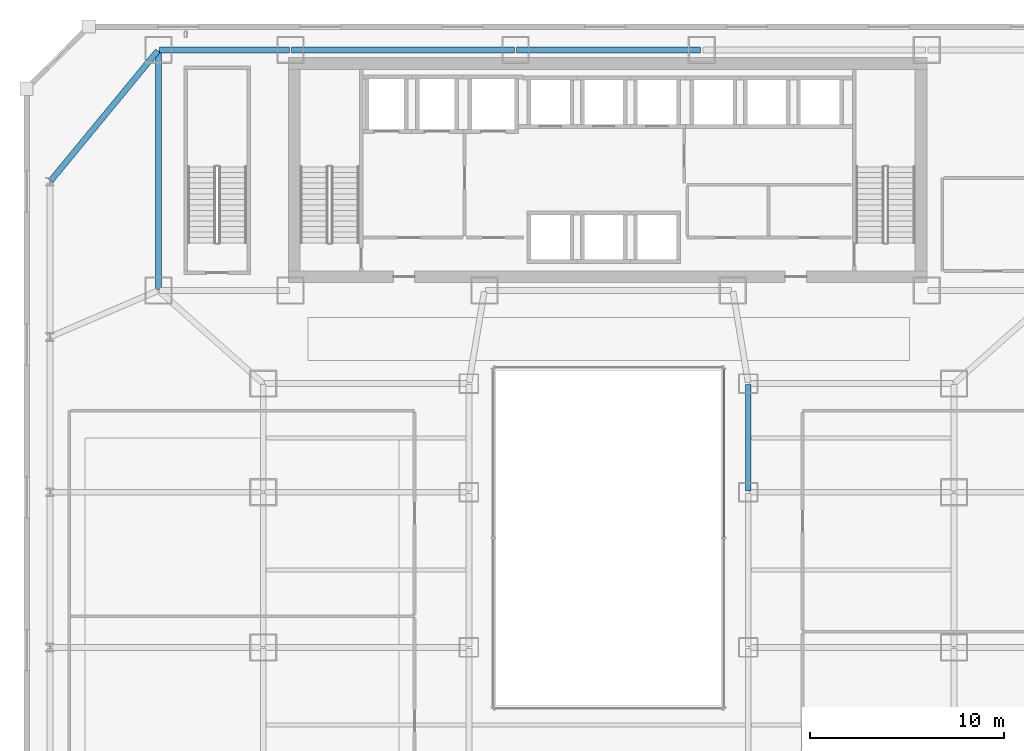
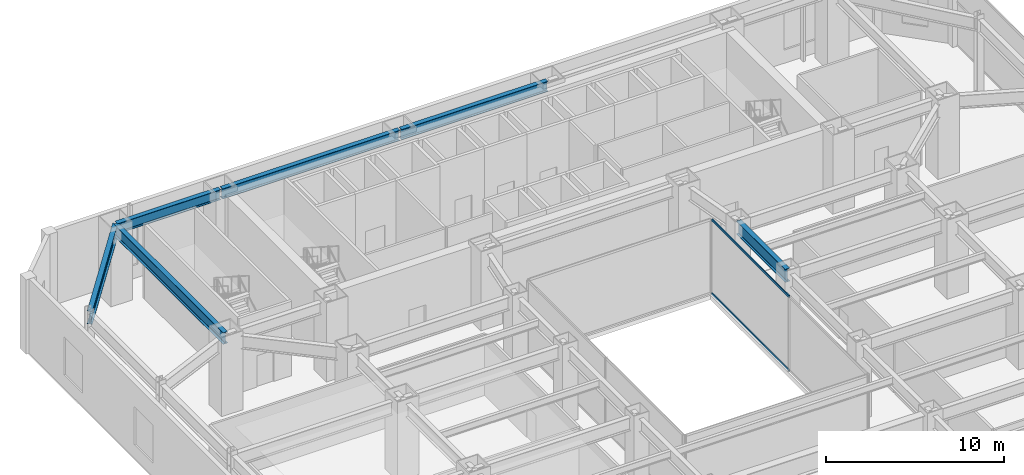
# One storey, part 25 of 52: 6 beams, 2 members, 1 element without a shape of its own.
"""IFC4 building model written with IfcOpenShell, lengths in metres."""

from ifc_helpers import new_model, si_unit, direction, frame, origin, origin_2d, place, context, subcontext, project, spatial, hollow_rectangle, i_section, extrude, material, material_profile, profile_set, type_object, element, aggregate, save


model = new_model("IFC4")

# Units and contexts
model_context = context("Model", 3, precision=1e-05, world=origin(), true_north=direction((0.0, 1.0)))
body_context = subcontext(model_context, "Body", "Model", "MODEL_VIEW")
ifc_project = project(units=[si_unit("LENGTHUNIT", "METRE"), si_unit("AREAUNIT", "SQUARE_METRE"), si_unit("VOLUMEUNIT", "CUBIC_METRE"), si_unit("PLANEANGLEUNIT", "RADIAN"), si_unit("MASSUNIT", "GRAM", prefix="KILO")], contexts=[model_context])

# Site, building, storey
site_placement = place(None, origin())
site = spatial("IfcSite", under=ifc_project, at=site_placement, CompositionType="ELEMENT")
building_placement = place(site_placement, origin())
building = spatial("IfcBuilding", under=site, at=building_placement, Name="Saevonmaru Cultural Tower", CompositionType="ELEMENT")
storey_placement = place(building_placement, frame((0.0, 0.0, 16.800048828125)))
storey = spatial("IfcBuildingStorey", under=building, at=storey_placement, Name="L03", CompositionType="ELEMENT", Elevation=16.800048828125)

# Beams
ifc_material_1 = material(Name="Steel SM420", Category="steel")
ifc_material_profile_1 = material_profile(ifc_material_1, i_section(OverallWidth=0.300048828125, OverallDepth=0.800048828125, WebThickness=0.013916015625, FlangeThickness=0.02587890625, FilletRadius=0.028076171875, at=origin_2d()), Name="H-800x300x14x26")
ifc_profile_set_1 = profile_set([ifc_material_profile_1], Name="Steel SM420")
beam_type_1 = type_object("IfcBeamType", Name="BM-G-H800", PredefinedType="BEAM", material=ifc_profile_set_1)
beam_1_placement = place(storey_placement, frame((6.800048828125, 54.739990234375, 4.699951171875), z_axis=(0.0, -1.0, 0.0), x_axis=(1.0, 0.0, 0.0)))
element("IfcBeam", 1, at=beam_1_placement, inside=storey, type_object=beam_type_1, Name="L03 Spine Transverse Girder W", PredefinedType="BEAM", context=body_context, shape_type="SweptSolid", body=[
    extrude(i_section(OverallWidth=0.300048828125, OverallDepth=0.800048828125, WebThickness=0.013916015625, FlangeThickness=0.02587890625, FilletRadius=0.028076171875, at=origin_2d()), origin(), (0.0, 0.0, 1.0), 12.280029296875),
])
ifc_material_profile_2 = material_profile(ifc_material_1, i_section(OverallWidth=0.300048828125, OverallDepth=0.89990234375, WebThickness=0.01611328125, FlangeThickness=0.028076171875, FilletRadius=0.028076171875, at=origin_2d()), Name="H-900x300x16x28")
ifc_profile_set_2 = profile_set([ifc_material_profile_2], Name="Steel SM420")
beam_type_2 = type_object("IfcBeamType", Name="BM-G-H900", PredefinedType="BEAM", material=ifc_profile_set_2)
beam_2_placement = place(storey_placement, frame((37.199951171875, 32.06005859375, 4.64990234375), z_axis=(0.0, 1.0, 0.0), x_axis=(-1.0, 0.0, 0.0)))
element("IfcBeam", 2, at=beam_2_placement, inside=storey, type_object=beam_type_2, Name="L03 Podium Girder NS3-5", PredefinedType="BEAM", context=body_context, shape_type="SweptSolid", body=[
    extrude(i_section(OverallWidth=0.300048828125, OverallDepth=0.89990234375, WebThickness=0.01611328125, FlangeThickness=0.028076171875, FilletRadius=0.028076171875, at=origin_2d()), origin(), (0.0, 0.0, 1.0), 5.47998046875),
])
beam_3_placement = place(storey_placement, frame((1.238037109375, 48.04638671875, 4.64990234375), z_axis=(0.635726949651, 0.771914014309, 0.0), x_axis=(-0.771914014309, 0.635726949651, 0.0)))
element("IfcBeam", 3, at=beam_3_placement, inside=storey, type_object=beam_type_2, Name="BM-POD-TW2-L03", PredefinedType="BEAM", context=body_context, shape_type="SweptSolid", body=[
    extrude(i_section(OverallWidth=0.300048828125, OverallDepth=0.89990234375, WebThickness=0.01611328125, FlangeThickness=0.028076171875, FilletRadius=0.028076171875, at=origin_2d()), origin(), (0.0, 0.0, 1.0), 8.689208984375),
])
ifc_material_2 = material(Name="Steel SM355", Category="steel")
ifc_material_profile_3 = material_profile(ifc_material_2, i_section(OverallWidth=0.300048828125, OverallDepth=0.699951171875, WebThickness=0.012939453125, FlangeThickness=0.02392578125, FilletRadius=0.02587890625, at=origin_2d()), Name="H-700x300x13x24")
ifc_profile_set_3 = profile_set([ifc_material_profile_3], Name="Steel SM355")
beam_type_3 = type_object("IfcBeamType", Name="BM-SP-H700", PredefinedType="SPANDREL", material=ifc_profile_set_3)
beam_4_placement = place(storey_placement, frame((6.860107421875, 54.800048828125, 4.75), z_axis=(1.0, 0.0, 0.0), x_axis=(0.0, 1.0, 0.0)))
element("IfcBeam", 4, at=beam_4_placement, inside=storey, type_object=beam_type_3, Name="L03 North Spine Girder 1", PredefinedType="SPANDREL", context=body_context, shape_type="SweptSolid", body=[
    extrude(i_section(OverallWidth=0.300048828125, OverallDepth=0.699951171875, WebThickness=0.012939453125, FlangeThickness=0.02392578125, FilletRadius=0.02587890625, at=origin_2d()), origin(), (0.0, 0.0, 1.0), 6.679931640625),
])
beam_5_placement = place(storey_placement, frame((13.659912109375, 54.800048828125, 4.75), z_axis=(1.0, 0.0, 0.0), x_axis=(0.0, 1.0, 0.0)))
element("IfcBeam", 5, at=beam_5_placement, inside=storey, type_object=beam_type_3, Name="L03 North Spine Girder 2", PredefinedType="SPANDREL", context=body_context, shape_type="SweptSolid", body=[
    extrude(i_section(OverallWidth=0.300048828125, OverallDepth=0.699951171875, WebThickness=0.012939453125, FlangeThickness=0.02392578125, FilletRadius=0.02587890625, at=origin_2d()), origin(), (0.0, 0.0, 1.0), 11.47998046875),
])
beam_6_placement = place(storey_placement, frame((25.260009765625, 54.800048828125, 4.75), z_axis=(1.0, 0.0, 0.0), x_axis=(0.0, 1.0, 0.0)))
element("IfcBeam", 6, at=beam_6_placement, inside=storey, type_object=beam_type_3, Name="L03 North Spine Girder 3", PredefinedType="SPANDREL", context=body_context, shape_type="SweptSolid", body=[
    extrude(i_section(OverallWidth=0.300048828125, OverallDepth=0.699951171875, WebThickness=0.012939453125, FlangeThickness=0.02392578125, FilletRadius=0.02587890625, at=origin_2d()), origin(), (0.0, 0.0, 1.0), 9.47998046875),
])

# Curtain wall, members
ifc_material_3 = material(Name="Satin Bronze Anodised Aluminium", Category="aluminium")
curtain_wall_type = type_object("IfcCurtainWallType", Name="CW-ATR-GLZ", PredefinedType="NOTDEFINED", material=ifc_material_3)
curtain_wall_placement = place(storey_placement, origin())
curtain_wall = element("IfcCurtainWall", 7, at=curtain_wall_placement, inside=storey, type_object=curtain_wall_type, Name="L03 Vertical Atrium Glazed Smoke Screen 2", PredefinedType="NOTDEFINED")
ifc_material_profile_4 = material_profile(ifc_material_3, hollow_rectangle(XDim=0.06494140625, YDim=0.14990234375, WallThickness=0.00390625, at=origin_2d()), Name="ALU-TRAN-150x65x4")
ifc_profile_set_4 = profile_set([ifc_material_profile_4], Name="Satin Bronze Anodised Aluminium")
member_type = type_object("IfcMemberType", Name="TR-CW-INT-150x65", PredefinedType="USERDEFINED", material=ifc_profile_set_4)
member_1_placement = place(storey_placement, frame((35.949951171875, 29.672607421875, 0.032470703125), z_axis=(0.0, 1.0, 0.0), x_axis=(-1.0, 0.0, 0.0)))
member_1 = element("IfcMember", 8, at=member_1_placement, type_object=member_type, Name="CW-ATR-L03-2 transom 2.1", ObjectType="TRANSOM", PredefinedType="USERDEFINED", context=body_context, shape_type="SweptSolid", body=[
    extrude(hollow_rectangle(XDim=0.06494140625, YDim=0.14990234375, WallThickness=0.00390625, at=origin_2d()), origin(), (0.0, 0.0, 1.0), 8.664794921875),
])
member_2_placement = place(storey_placement, frame((35.949951171875, 29.672607421875, 5.0673828125), z_axis=(0.0, 1.0, 0.0), x_axis=(-1.0, 0.0, 0.0)))
member_2 = element("IfcMember", 9, at=member_2_placement, type_object=member_type, Name="CW-ATR-L03-2 transom 2.2", ObjectType="TRANSOM", PredefinedType="USERDEFINED", context=body_context, shape_type="SweptSolid", body=[
    extrude(hollow_rectangle(XDim=0.06494140625, YDim=0.14990234375, WallThickness=0.00390625, at=origin_2d()), origin(), (0.0, 0.0, 1.0), 8.664794921875),
])
aggregate(curtain_wall, [member_1, member_2])

save(model, "model.ifc")
